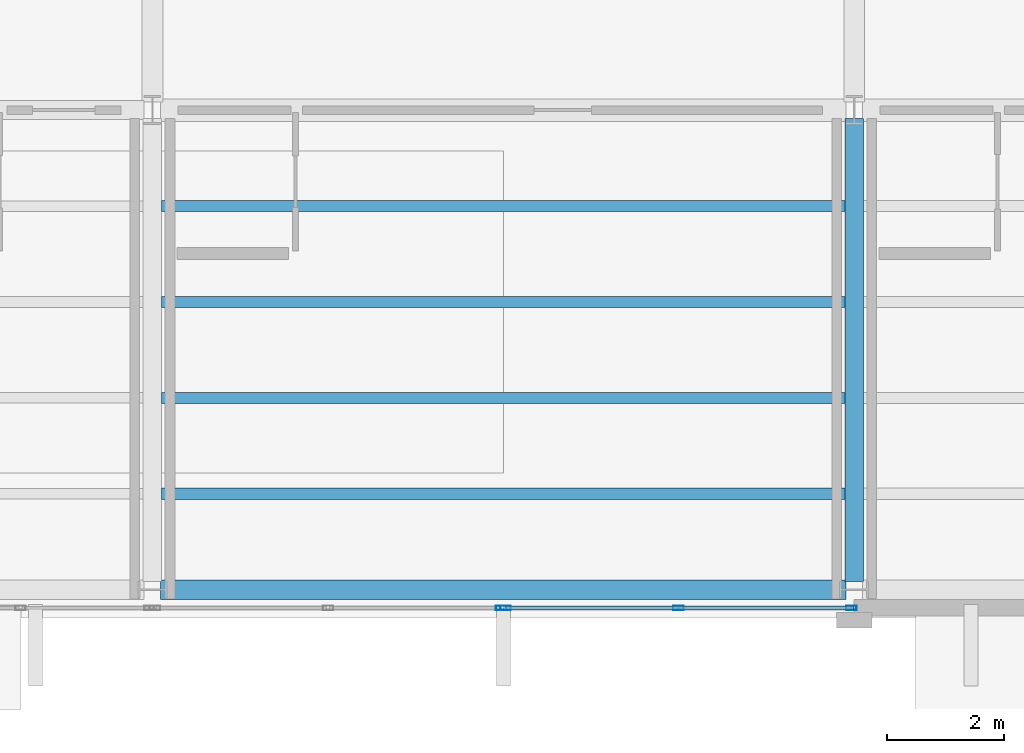
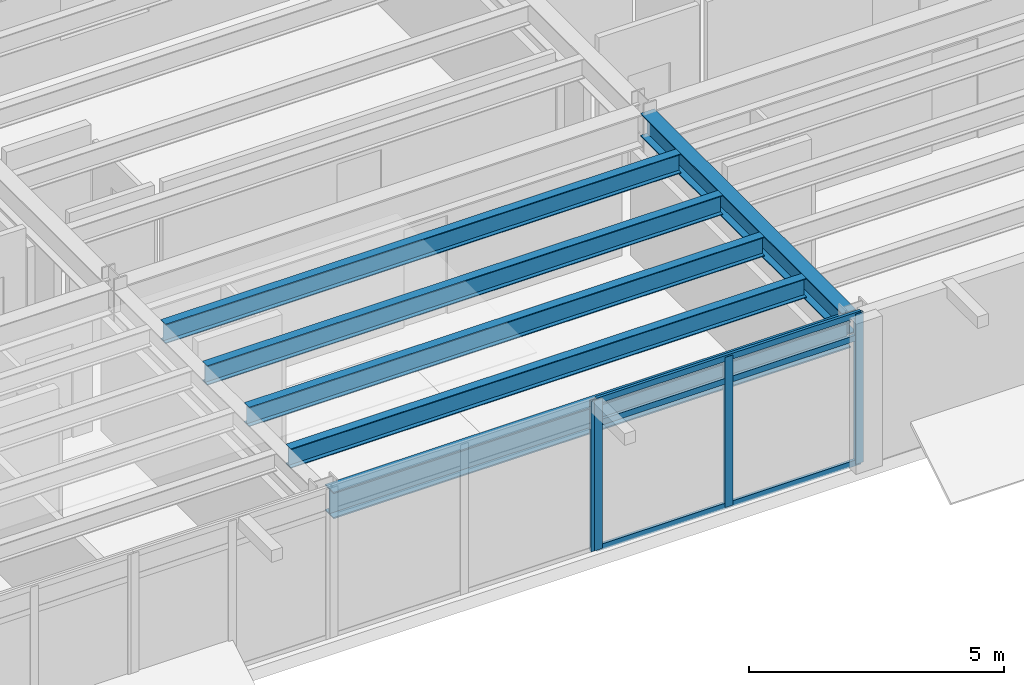
# One storey, part 9 of 19: 7 members, 6 beams, 2 elements without a shape of their own.
"""IFC4 building model written with IfcOpenShell, lengths in metres."""

from ifc_helpers import new_model, si_unit, direction, frame, origin, origin_2d, place, context, subcontext, project, spatial, hollow_rectangle, i_section, extrude, material, layer, layer_set, material_profile, profile_set, type_object, element, aggregate, save


model = new_model("IFC4")

# Units and contexts
model_context = context("Model", 3, precision=1e-05, world=origin(), true_north=direction((0.0, 1.0)))
body_context = subcontext(model_context, "Body", "Model", "MODEL_VIEW")
ifc_project = project(units=[si_unit("LENGTHUNIT", "METRE"), si_unit("AREAUNIT", "SQUARE_METRE"), si_unit("VOLUMEUNIT", "CUBIC_METRE"), si_unit("PLANEANGLEUNIT", "RADIAN"), si_unit("MASSUNIT", "GRAM", prefix="KILO")], contexts=[model_context])

# Site, building, storey
site_placement = place(None, origin())
site = spatial("IfcSite", under=ifc_project, at=site_placement, CompositionType="ELEMENT")
building_placement = place(site_placement, origin())
building = spatial("IfcBuilding", under=site, at=building_placement, Name="Sollismere Congress Hotel", CompositionType="ELEMENT")
storey_placement = place(building_placement, frame((0.0, 0.0, 44.60009765625)))
storey = spatial("IfcBuildingStorey", under=building, at=storey_placement, Name="L11", CompositionType="ELEMENT", Elevation=44.60009765625)

# Beams
ifc_material_1 = material(Name="Steel ASTM A992 Grade 50", Category="steel")
ifc_material_profile_1 = material_profile(ifc_material_1, i_section(OverallWidth=0.31494140625, OverallDepth=0.551025390625, WebThickness=0.01513671875, FlangeThickness=0.0244140625, at=origin_2d()), Name="W21X122")
ifc_profile_set_1 = profile_set([ifc_material_profile_1], Name="Steel ASTM A992 Grade 50")
beam_type_1 = type_object("IfcBeamType", Name="BM-G21H", PredefinedType="BEAM", material=ifc_profile_set_1)
beam_1_placement = place(storey_placement, frame((124.0, 0.139892578125, 3.04931640625), z_axis=(0.0, 1.0, 0.0), x_axis=(-1.0, 0.0, 0.0)))
element("IfcBeam", 1, at=beam_1_placement, inside=storey, type_object=beam_type_1, Name="Beam BM-L11-3768", PredefinedType="BEAM", context=body_context, shape_type="SweptSolid", body=[
    extrude(i_section(OverallWidth=0.31494140625, OverallDepth=0.551025390625, WebThickness=0.01513671875, FlangeThickness=0.0244140625, at=origin_2d()), origin(), (0.0, 0.0, 1.0), 7.920166015625),
])
ifc_material_profile_2 = material_profile(ifc_material_1, i_section(OverallWidth=0.193115234375, OverallDepth=0.467041015625, WebThickness=0.011474609375, FlangeThickness=0.01904296875, at=origin_2d()), Name="W18X65")
ifc_profile_set_2 = profile_set([ifc_material_profile_2], Name="Steel ASTM A992 Grade 50")
beam_type_2 = type_object("IfcBeamType", Name="BM-J18", PredefinedType="JOIST", material=ifc_profile_set_2)
for number, where, z_axis, x_axis, name in (
    (2, (112.157470703125, 1.639892578125, 3.09130859375), (1.0, 0.0, 0.0), (0.0, 1.0, 0.0), "Beam BM-L11-3795"),
    (3, (112.157470703125, 3.280029296875, 3.09130859375), (1.0, 0.0, 0.0), (0.0, 1.0, 0.0), "Beam BM-L11-3796"),
    (4, (112.157470703125, 4.919921875, 3.09130859375), (1.0, 0.0, 0.0), (0.0, 1.0, 0.0), "Beam BM-L11-3797"),
    (5, (112.157470703125, 6.56005859375, 3.09130859375), (1.0, 0.0, 0.0), (0.0, 1.0, 0.0), "Beam BM-L11-3798"),
):
    element("IfcBeam", number, at=place(storey_placement, frame(where, z_axis=z_axis, x_axis=x_axis)), inside=storey, type_object=beam_type_2, Name=name, PredefinedType="JOIST", context=body_context, shape_type="SweptSolid", body=[
        extrude(i_section(OverallWidth=0.193115234375, OverallDepth=0.467041015625, WebThickness=0.011474609375, FlangeThickness=0.01904296875, at=origin_2d()), origin(), (0.0, 0.0, 1.0), 11.68505859375),
    ])
ifc_material_profile_3 = material_profile(ifc_material_1, i_section(OverallWidth=0.330078125, OverallDepth=0.635009765625, WebThickness=0.017822265625, FlangeThickness=0.031005859375, at=origin_2d()), Name="W24X162")
ifc_profile_set_3 = profile_set([ifc_material_profile_3], Name="Steel ASTM A992 Grade 50")
beam_type_3 = type_object("IfcBeamType", Name="BM-SP24E", PredefinedType="SPANDREL", material=ifc_profile_set_3)
beam_2_placement = place(storey_placement, frame((112.139892578125, 0.0, 3.00732421875), z_axis=(1.0, 0.0, 0.0), x_axis=(0.0, 1.0, 0.0)))
element("IfcBeam", 6, at=beam_2_placement, inside=storey, type_object=beam_type_3, Name="Beam BM-L11-3743", PredefinedType="SPANDREL", context=body_context, shape_type="SweptSolid", body=[
    extrude(i_section(OverallWidth=0.330078125, OverallDepth=0.635009765625, WebThickness=0.017822265625, FlangeThickness=0.031005859375, at=origin_2d()), origin(), (0.0, 0.0, 1.0), 11.72021484375),
])

# Curtain wall, member
ifc_material_2 = material(Name="Anodized Bronze Curtain Wall & Low-E Triple Glazing", Category="glass")
ifc_layer = layer(ifc_material_2, 0.199951171875, Name="Anodized Bronze Curtain Wall & Low-E Triple Glazing")
ifc_layer_set = layer_set([ifc_layer], Name="Anodized Bronze Curtain Wall & Low-E Triple Glazing")
curtain_wall_type = type_object("IfcCurtainWallType", Name="CW-GLZ36", PredefinedType="USERDEFINED", material=ifc_layer_set)
curtain_wall_1_placement = place(storey_placement, origin())
curtain_wall_1 = element("IfcCurtainWall", 7, at=curtain_wall_1_placement, inside=storey, type_object=curtain_wall_type, Name="Unitised curtain wall CW-L11-163", ObjectType="UNITISED CURTAIN WALL", PredefinedType="USERDEFINED")
ifc_material_3 = material(Name="Anodized Aluminum 6063-T6", Category="aluminium")
ifc_material_profile_4 = material_profile(ifc_material_3, hollow_rectangle(XDim=0.074951171875, YDim=0.179931640625, WallThickness=0.0048828125, at=origin_2d()), Name="ALU180X75X5")
ifc_profile_set_4 = profile_set([ifc_material_profile_4], Name="Anodized Aluminum 6063-T6")
member_type_1 = type_object("IfcMemberType", Name="ML-CW180", PredefinedType="MULLION", material=ifc_profile_set_4)
member_1_placement = place(storey_placement, frame((117.9619140625, -0.31005859375, 0.0), z_axis=(0.0, 0.0, 1.0), x_axis=(0.0, 1.0, 0.0)))
member_1 = element("IfcMember", 8, at=member_1_placement, type_object=member_type_1, Name="CWL-CW-L11-163-ML03", PredefinedType="MULLION", context=body_context, shape_type="SweptSolid", body=[
    extrude(hollow_rectangle(XDim=0.074951171875, YDim=0.179931640625, WallThickness=0.0048828125, at=origin_2d()), origin(), (0.0, 0.0, 1.0), 3.599853515625),
])
aggregate(curtain_wall_1, [member_1])

# Curtain wall, members
curtain_wall_2_placement = place(storey_placement, origin())
curtain_wall_2 = element("IfcCurtainWall", 9, at=curtain_wall_2_placement, inside=storey, type_object=curtain_wall_type, Name="Unitised curtain wall CW-L11-164", ObjectType="UNITISED CURTAIN WALL", PredefinedType="USERDEFINED")
member_2_placement = place(storey_placement, frame((118.0380859375, -0.31005859375, 0.0), z_axis=(0.0, 0.0, 1.0), x_axis=(0.0, 1.0, 0.0)))
member_2 = element("IfcMember", 10, at=member_2_placement, type_object=member_type_1, Name="CWL-CW-L11-164-ML01", PredefinedType="MULLION", context=body_context, shape_type="SweptSolid", body=[
    extrude(hollow_rectangle(XDim=0.074951171875, YDim=0.179931640625, WallThickness=0.0048828125, at=origin_2d()), origin(), (0.0, 0.0, 1.0), 3.599853515625),
])
member_3_placement = place(storey_placement, frame((120.9951171875, -0.31005859375, 0.0), z_axis=(0.0, 0.0, 1.0), x_axis=(0.0, 1.0, 0.0)))
member_3 = element("IfcMember", 11, at=member_3_placement, type_object=member_type_1, Name="CWL-CW-L11-164-ML02", PredefinedType="MULLION", context=body_context, shape_type="SweptSolid", body=[
    extrude(hollow_rectangle(XDim=0.074951171875, YDim=0.179931640625, WallThickness=0.0048828125, at=origin_2d()), origin(), (0.0, 0.0, 1.0), 3.599853515625),
])
member_4_placement = place(storey_placement, frame((123.951904296875, -0.31005859375, 0.0), z_axis=(0.0, 0.0, 1.0), x_axis=(0.0, 1.0, 0.0)))
member_4 = element("IfcMember", 12, at=member_4_placement, type_object=member_type_1, Name="CWL-CW-L11-164-ML03", PredefinedType="MULLION", context=body_context, shape_type="SweptSolid", body=[
    extrude(hollow_rectangle(XDim=0.074951171875, YDim=0.179931640625, WallThickness=0.0048828125, at=origin_2d()), origin(), (0.0, 0.0, 1.0), 3.599853515625),
])
ifc_material_profile_5 = material_profile(ifc_material_3, hollow_rectangle(XDim=0.06494140625, YDim=0.139892578125, WallThickness=0.00390625, at=origin_2d()), Name="ALU140X65X4")
ifc_profile_set_5 = profile_set([ifc_material_profile_5], Name="Anodized Aluminum 6063-T6")
member_type_2 = type_object("IfcMemberType", Name="TR-CW150", PredefinedType="MEMBER", material=ifc_profile_set_5)
member_5_placement = place(storey_placement, frame((118.0, -0.31005859375, 0.032470703125), z_axis=(1.0, 0.0, 0.0), x_axis=(0.0, 1.0, 0.0)))
member_5 = element("IfcMember", 13, at=member_5_placement, type_object=member_type_2, Name="CWL-CW-L11-164-TR1", PredefinedType="MEMBER", context=body_context, shape_type="SweptSolid", body=[
    extrude(hollow_rectangle(XDim=0.06494140625, YDim=0.139892578125, WallThickness=0.00390625, at=origin_2d()), origin(), (0.0, 0.0, 1.0), 5.989990234375),
])
member_6_placement = place(storey_placement, frame((118.0, -0.31005859375, 3.02392578125), z_axis=(1.0, 0.0, 0.0), x_axis=(0.0, 1.0, 0.0)))
member_6 = element("IfcMember", 14, at=member_6_placement, type_object=member_type_2, Name="CWL-CW-L11-164-TR2", PredefinedType="MEMBER", context=body_context, shape_type="SweptSolid", body=[
    extrude(hollow_rectangle(XDim=0.06494140625, YDim=0.139892578125, WallThickness=0.00390625, at=origin_2d()), origin(), (0.0, 0.0, 1.0), 5.989990234375),
])
member_7_placement = place(storey_placement, frame((118.0, -0.31005859375, 3.5673828125), z_axis=(1.0, 0.0, 0.0), x_axis=(0.0, 1.0, 0.0)))
member_7 = element("IfcMember", 15, at=member_7_placement, type_object=member_type_2, Name="CWL-CW-L11-164-TR3", PredefinedType="MEMBER", context=body_context, shape_type="SweptSolid", body=[
    extrude(hollow_rectangle(XDim=0.06494140625, YDim=0.139892578125, WallThickness=0.00390625, at=origin_2d()), origin(), (0.0, 0.0, 1.0), 5.989990234375),
])
aggregate(curtain_wall_2, [member_2, member_3, member_4, member_5, member_6, member_7])

save(model, "model.ifc")
